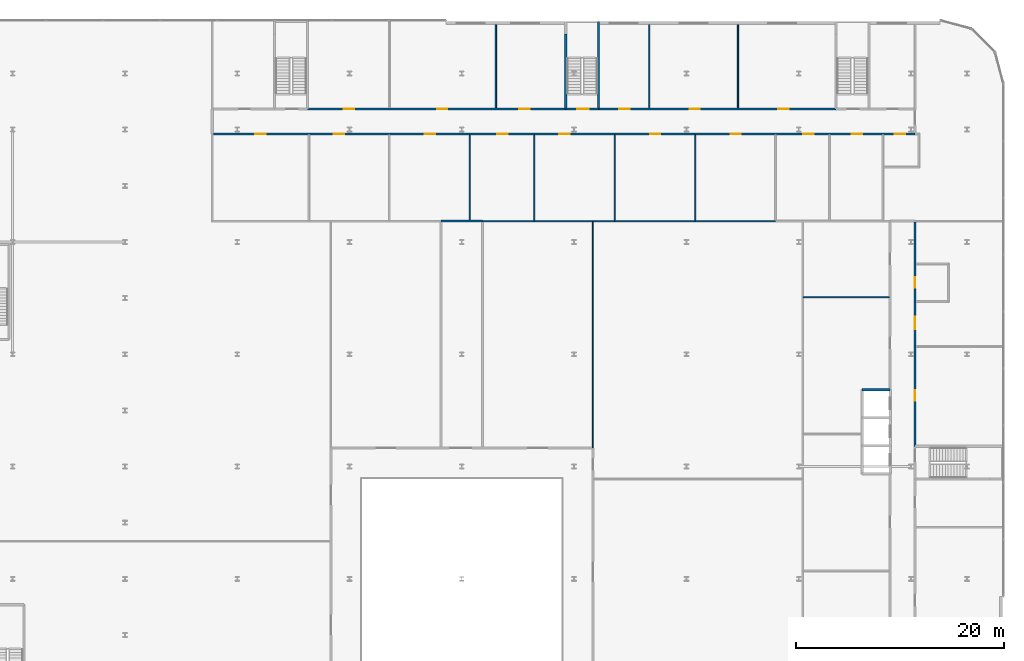
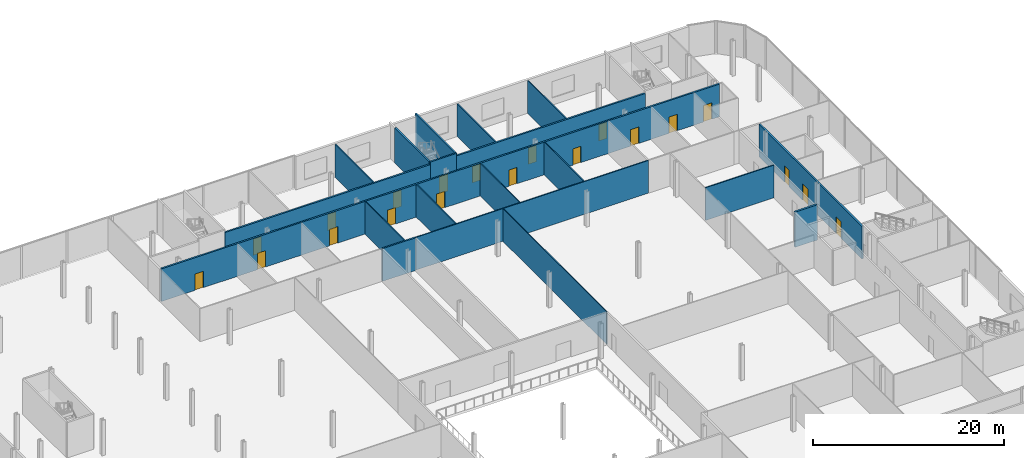
# One storey, part 35 of 47: 20 doors, 19 walls, 20 openings.
"""IFC4 building model written with IfcOpenShell, lengths in metres."""

from ifc_helpers import new_model, si_unit, direction, frame, frame_2d, origin, place, context, subcontext, project, spatial, rectangle, extrude, source, transform, mapped, material, layer, layer_set, type_object, element, fill, save


model = new_model("IFC4")

# Units and contexts
model_context = context("Model", 3, precision=1e-05, world=origin(), true_north=direction((0.0, 1.0)))
body_context = subcontext(model_context, "Body", "Model", "MODEL_VIEW")
ifc_project = project(units=[si_unit("LENGTHUNIT", "METRE"), si_unit("AREAUNIT", "SQUARE_METRE"), si_unit("VOLUMEUNIT", "CUBIC_METRE"), si_unit("PLANEANGLEUNIT", "RADIAN"), si_unit("MASSUNIT", "GRAM", prefix="KILO")], contexts=[model_context])

# Site, building, storey
site_placement = place(None, origin())
site = spatial("IfcSite", under=ifc_project, at=site_placement, CompositionType="ELEMENT")
building_placement = place(site_placement, origin())
building = spatial("IfcBuilding", under=site, at=building_placement, Name="Kheshtan School and Residences Tower", CompositionType="ELEMENT")
storey_placement = place(building_placement, frame((0.0, 0.0, 12.5)))
storey = spatial("IfcBuildingStorey", under=building, at=storey_placement, Name="L02", CompositionType="ELEMENT", Elevation=12.5)

# Walls
ifc_material_1 = material(Name="Gypsum board on steel studs with mineral wool", Category="steel")
ifc_layer_1 = layer(ifc_material_1, 0.125)
ifc_layer_set_1 = layer_set([ifc_layer_1], Name="Acoustic partition 125")
wall_type_1 = type_object("IfcWallType", Name="Acoustic partition 125", PredefinedType="PARTITIONING", material=ifc_layer_set_1)
wall_1_placement = place(storey_placement, frame((80.76904296875, 90.89990234375, 0.0), z_axis=(0.0, 0.0, 1.0), x_axis=(0.0, 1.0, 0.0)))
element("IfcWall", 1, at=wall_1_placement, inside=storey, type_object=wall_type_1, Name="Partition L02-039", PredefinedType="PARTITIONING", context=body_context, shape_type="SweptSolid", body=[
    extrude(rectangle(XDim=8.2001953125, YDim=0.125, at=frame_2d((4.10009765625, 0.0))), origin(), (0.0, 0.0, 1.0), 4.179931640625),
])
wall_2_placement = place(storey_placement, frame((82.0, 90.800048828125, 0.0), z_axis=(0.0, 0.0, 1.0), x_axis=(1.0, 0.0, 0.0)))
element("IfcWall", 2, at=wall_2_placement, inside=storey, type_object=wall_type_1, Name="Partition L02-041", PredefinedType="PARTITIONING", context=body_context, shape_type="SweptSolid", body=[
    extrude(rectangle(XDim=28.18310546875, YDim=0.125, at=frame_2d((14.091552734375, 0.0))), origin(), (0.0, 0.0, 1.0), 4.179931640625),
])
for number, where, z_axis, x_axis, name in (
    (3, (86.9619140625, 90.862060546875, 0.0), (0.0, 0.0, 1.0), (0.0, 1.0, 0.0), "Partition L02-043"),
    (4, (94.701904296875, 90.862060546875, 0.0), (0.0, 0.0, 1.0), (0.0, 1.0, 0.0), "Partition L02-058"),
):
    element("IfcWall", number, at=place(storey_placement, frame(where, z_axis=z_axis, x_axis=x_axis)), inside=storey, type_object=wall_type_1, Name=name, PredefinedType="PARTITIONING", context=body_context, shape_type="SweptSolid", body=[
        extrude(rectangle(XDim=8.238037109375, YDim=0.125, at=frame_2d((4.119140625, 0.0))), origin(), (0.0, 0.0, 1.0), 4.179931640625),
    ])
wall_3_placement = place(storey_placement, frame((98.037109375, 101.699951171875, 0.0), z_axis=(0.0, 0.0, 1.0), x_axis=(0.0, 1.0, 0.0)))
element("IfcWall", 5, at=wall_3_placement, inside=storey, type_object=wall_type_1, Name="Partition L02-059", PredefinedType="PARTITIONING", context=body_context, shape_type="SweptSolid", body=[
    extrude(rectangle(XDim=8.0009765625, YDim=0.125, at=frame_2d((4.00048828125, 0.0))), origin(), (0.0, 0.0, 1.0), 4.179931640625),
])
wall_4_placement = place(storey_placement, frame((102.443115234375, 90.862060546875, 0.0), z_axis=(0.0, 0.0, 1.0), x_axis=(0.0, 1.0, 0.0)))
element("IfcWall", 6, at=wall_4_placement, inside=storey, type_object=wall_type_1, Name="Partition L02-060", PredefinedType="PARTITIONING", context=body_context, shape_type="SweptSolid", body=[
    extrude(rectangle(XDim=8.238037109375, YDim=0.125, at=frame_2d((4.119140625, 0.0))), origin(), (0.0, 0.0, 1.0), 4.179931640625),
])
wall_5_placement = place(storey_placement, frame((106.55810546875, 101.699951171875, 0.0), z_axis=(0.0, 0.0, 1.0), x_axis=(0.0, 1.0, 0.0)))
element("IfcWall", 7, at=wall_5_placement, inside=storey, type_object=wall_type_1, Name="Partition L02-063", PredefinedType="PARTITIONING", context=body_context, shape_type="SweptSolid", body=[
    extrude(rectangle(XDim=8.0009765625, YDim=0.125, at=frame_2d((4.00048828125, 0.0))), origin(), (0.0, 0.0, 1.0), 4.179931640625),
])
wall_6_placement = place(storey_placement, frame((112.862060546875, 83.487060546875, 0.0), z_axis=(0.0, 0.0, 1.0), x_axis=(1.0, 0.0, 0.0)))
element("IfcWall", 8, at=wall_6_placement, inside=storey, type_object=wall_type_1, Name="Partition L02-072", PredefinedType="PARTITIONING", context=body_context, shape_type="SweptSolid", body=[
    extrude(rectangle(XDim=8.238037109375, YDim=0.125, at=frame_2d((4.119140625, 0.0))), origin(), (0.0, 0.0, 1.0), 4.179931640625),
])

# Wall, openings, doors
ifc_material_2 = material(Name="Gypsum board on steel studs with fire boards", Category="steel")
ifc_layer_2 = layer(ifc_material_2, 0.199951171875)
ifc_layer_set_2 = layer_set([ifc_layer_2], Name="Corridor wall 200")
wall_type_2 = type_object("IfcWallType", Name="Corridor wall 200", PredefinedType="PARTITIONING", material=ifc_layer_set_2)
wall_7_placement = place(storey_placement, frame((56.10009765625, 99.199951171875, 0.0), z_axis=(0.0, 0.0, 1.0), x_axis=(1.0, 0.0, 0.0)))
wall_7 = element("IfcWall", 9, at=wall_7_placement, inside=storey, type_object=wall_type_2, Name="Partition L02-024", PredefinedType="PARTITIONING", context=body_context, shape_type="SweptSolid", body=[
    extrude(rectangle(XDim=67.5, YDim=0.199951171875, at=frame_2d((33.75, 0.0))), origin(), (0.0, 0.0, 1.0), 4.179931640625),
])
opening_1_placement = place(wall_7_placement, frame((4.050048828125, 0.0, 0.0)))
opening_1 = element("IfcOpeningElement", 10, at=opening_1_placement, cuts=wall_7, Name="Opening D02-013", PredefinedType="OPENING", context=body_context, shape_type="SweptSolid", body=[
    extrude(rectangle(XDim=1.0, YDim=2.10009765625, at=frame_2d((0.5, 1.050048828125))), frame((0.0, 0.10986328125, 0.0), z_axis=(0.0, -1.0, 0.0), x_axis=(1.0, 0.0, 0.0)), (0.0, 0.0, 1.0), 0.219970703125),
])
opening_2_placement = place(wall_7_placement, frame((65.553955078125, 0.0, 0.0)))
opening_2 = element("IfcOpeningElement", 11, at=opening_2_placement, cuts=wall_7, Name="Opening D02-014", PredefinedType="OPENING", context=body_context, shape_type="SweptSolid", body=[
    extrude(rectangle(XDim=1.0, YDim=2.10009765625, at=frame_2d((0.5, 1.050048828125))), frame((0.0, 0.10986328125, 0.0), z_axis=(0.0, -1.0, 0.0), x_axis=(1.0, 0.0, 0.0)), (0.0, 0.0, 1.0), 0.219970703125),
])
opening_3_placement = place(wall_7_placement, frame((11.589111328125, 0.0, 0.0)))
opening_3 = element("IfcOpeningElement", 12, at=opening_3_placement, cuts=wall_7, Name="Opening D02-016", PredefinedType="OPENING", context=body_context, shape_type="SweptSolid", body=[
    extrude(rectangle(XDim=1.0, YDim=2.10009765625, at=frame_2d((0.5, 1.050048828125))), frame((0.0, 0.10986328125, 0.0), z_axis=(0.0, -1.0, 0.0), x_axis=(1.0, 0.0, 0.0)), (0.0, 0.0, 1.0), 0.219970703125),
])
opening_4_placement = place(wall_7_placement, frame((20.3291015625, 0.0, 0.0)))
opening_4 = element("IfcOpeningElement", 13, at=opening_4_placement, cuts=wall_7, Name="Opening D02-017", PredefinedType="OPENING", context=body_context, shape_type="SweptSolid", body=[
    extrude(rectangle(XDim=1.0, YDim=2.10009765625, at=frame_2d((0.5, 1.050048828125))), frame((0.0, 0.10986328125, 0.0), z_axis=(0.0, -1.0, 0.0), x_axis=(1.0, 0.0, 0.0)), (0.0, 0.0, 1.0), 0.219970703125),
])
opening_5_placement = place(wall_7_placement, frame((27.319091796875, 0.0, 0.0)))
opening_5 = element("IfcOpeningElement", 14, at=opening_5_placement, cuts=wall_7, Name="Opening D02-018", PredefinedType="OPENING", context=body_context, shape_type="SweptSolid", body=[
    extrude(rectangle(XDim=1.0, YDim=2.10009765625, at=frame_2d((0.5, 1.050048828125))), frame((0.0, 0.10986328125, 0.0), z_axis=(0.0, -1.0, 0.0), x_axis=(1.0, 0.0, 0.0)), (0.0, 0.0, 1.0), 0.219970703125),
])
opening_6_placement = place(wall_7_placement, frame((33.261962890625, 0.0, 0.0)))
opening_6 = element("IfcOpeningElement", 15, at=opening_6_placement, cuts=wall_7, Name="Opening D02-019", PredefinedType="OPENING", context=body_context, shape_type="SweptSolid", body=[
    extrude(rectangle(XDim=1.0, YDim=2.10009765625, at=frame_2d((0.5, 1.050048828125))), frame((0.0, 0.10986328125, 0.0), z_axis=(0.0, -1.0, 0.0), x_axis=(1.0, 0.0, 0.0)), (0.0, 0.0, 1.0), 0.219970703125),
])
opening_7_placement = place(wall_7_placement, frame((42.001953125, 0.0, 0.0)))
opening_7 = element("IfcOpeningElement", 16, at=opening_7_placement, cuts=wall_7, Name="Opening D02-020", PredefinedType="OPENING", context=body_context, shape_type="SweptSolid", body=[
    extrude(rectangle(XDim=1.0, YDim=2.10009765625, at=frame_2d((0.5, 1.050048828125))), frame((0.0, 0.10986328125, 0.0), z_axis=(0.0, -1.0, 0.0), x_axis=(1.0, 0.0, 0.0)), (0.0, 0.0, 1.0), 0.219970703125),
])
opening_8_placement = place(wall_7_placement, frame((49.742919921875, 0.0, 0.0)))
opening_8 = element("IfcOpeningElement", 17, at=opening_8_placement, cuts=wall_7, Name="Opening D02-021", PredefinedType="OPENING", context=body_context, shape_type="SweptSolid", body=[
    extrude(rectangle(XDim=1.0, YDim=2.10009765625, at=frame_2d((0.5, 1.050048828125))), frame((0.0, 0.10986328125, 0.0), z_axis=(0.0, -1.0, 0.0), x_axis=(1.0, 0.0, 0.0)), (0.0, 0.0, 1.0), 0.219970703125),
])
opening_9_placement = place(wall_7_placement, frame((56.73291015625, 0.0, 0.0)))
opening_9 = element("IfcOpeningElement", 18, at=opening_9_placement, cuts=wall_7, Name="Opening D02-022", PredefinedType="OPENING", context=body_context, shape_type="SweptSolid", body=[
    extrude(rectangle(XDim=1.0, YDim=2.10009765625, at=frame_2d((0.5, 1.050048828125))), frame((0.0, 0.10986328125, 0.0), z_axis=(0.0, -1.0, 0.0), x_axis=(1.0, 0.0, 0.0)), (0.0, 0.0, 1.0), 0.219970703125),
])
opening_10_placement = place(wall_7_placement, frame((61.39404296875, 0.0, 0.0)))
opening_10 = element("IfcOpeningElement", 19, at=opening_10_placement, cuts=wall_7, Name="Opening D02-023", PredefinedType="OPENING", context=body_context, shape_type="SweptSolid", body=[
    extrude(rectangle(XDim=1.0, YDim=2.10009765625, at=frame_2d((0.5, 1.050048828125))), frame((0.0, 0.10986328125, 0.0), z_axis=(0.0, -1.0, 0.0), x_axis=(1.0, 0.0, 0.0)), (0.0, 0.0, 1.0), 0.219970703125),
])
ifc_material_3 = material(Name="Steel-framed fire-resisting door leaf", Category="steel")
door_type_1 = type_object("IfcDoorType", Name="Fire door FD60 1000 x 2100", OperationType="SINGLE_SWING_LEFT", PredefinedType="DOOR", material=ifc_material_3)
shared_shape_1 = source(origin(), body_context, "Body", "SweptSolid", [
    extrude(rectangle(XDim=1.0, YDim=2.10009765625, at=frame_2d((0.5, 1.050048828125))), frame((0.0, 0.02490234375, 0.0), z_axis=(0.0, -1.0, 0.0), x_axis=(1.0, 0.0, 0.0)), (0.0, 0.0, 1.0), 0.050048828125),
])
door_1_placement = place(opening_1_placement, origin())
door_1 = element("IfcDoor", 20, at=door_1_placement, inside=storey, type_object=door_type_1, Name="Door D02-013", OperationType="SINGLE_SWING_LEFT", OverallHeight=2.10009765625, OverallWidth=1.0, PredefinedType="DOOR", context=body_context, shape_type="MappedRepresentation", body=[
    mapped(shared_shape_1, transform((0.0, 0.0, 0.0), x_axis=(1.0, 0.0, 0.0), y_axis=(0.0, 1.0, 0.0), z_axis=(0.0, 0.0, 1.0), scale=1.0)),
])
fill(opening_1, door_1)
door_2_placement = place(opening_2_placement, origin())
door_2 = element("IfcDoor", 21, at=door_2_placement, inside=storey, type_object=door_type_1, Name="Door D02-014", OperationType="SINGLE_SWING_RIGHT", OverallHeight=2.10009765625, OverallWidth=1.0, PredefinedType="DOOR", context=body_context, shape_type="MappedRepresentation", body=[
    mapped(shared_shape_1, transform((0.0, 0.0, 0.0), x_axis=(1.0, 0.0, 0.0), y_axis=(0.0, 1.0, 0.0), z_axis=(0.0, 0.0, 1.0), scale=1.0)),
])
fill(opening_2, door_2)
door_3_placement = place(opening_3_placement, origin())
door_3 = element("IfcDoor", 22, at=door_3_placement, inside=storey, type_object=door_type_1, Name="Door D02-016", OperationType="SINGLE_SWING_LEFT", OverallHeight=2.10009765625, OverallWidth=1.0, PredefinedType="DOOR", context=body_context, shape_type="MappedRepresentation", body=[
    mapped(shared_shape_1, transform((0.0, 0.0, 0.0), x_axis=(1.0, 0.0, 0.0), y_axis=(0.0, 1.0, 0.0), z_axis=(0.0, 0.0, 1.0), scale=1.0)),
])
fill(opening_3, door_3)
door_4_placement = place(opening_4_placement, origin())
door_4 = element("IfcDoor", 23, at=door_4_placement, inside=storey, type_object=door_type_1, Name="Door D02-017", OperationType="SINGLE_SWING_RIGHT", OverallHeight=2.10009765625, OverallWidth=1.0, PredefinedType="DOOR", context=body_context, shape_type="MappedRepresentation", body=[
    mapped(shared_shape_1, transform((0.0, 0.0, 0.0), x_axis=(1.0, 0.0, 0.0), y_axis=(0.0, 1.0, 0.0), z_axis=(0.0, 0.0, 1.0), scale=1.0)),
])
fill(opening_4, door_4)
door_5_placement = place(opening_5_placement, origin())
door_5 = element("IfcDoor", 24, at=door_5_placement, inside=storey, type_object=door_type_1, Name="Door D02-018", OperationType="SINGLE_SWING_RIGHT", OverallHeight=2.10009765625, OverallWidth=1.0, PredefinedType="DOOR", context=body_context, shape_type="MappedRepresentation", body=[
    mapped(shared_shape_1, transform((0.0, 0.0, 0.0), x_axis=(1.0, 0.0, 0.0), y_axis=(0.0, 1.0, 0.0), z_axis=(0.0, 0.0, 1.0), scale=1.0)),
])
fill(opening_5, door_5)
door_6_placement = place(opening_6_placement, origin())
door_6 = element("IfcDoor", 25, at=door_6_placement, inside=storey, type_object=door_type_1, Name="Door D02-019", OperationType="SINGLE_SWING_RIGHT", OverallHeight=2.10009765625, OverallWidth=1.0, PredefinedType="DOOR", context=body_context, shape_type="MappedRepresentation", body=[
    mapped(shared_shape_1, transform((0.0, 0.0, 0.0), x_axis=(1.0, 0.0, 0.0), y_axis=(0.0, 1.0, 0.0), z_axis=(0.0, 0.0, 1.0), scale=1.0)),
])
fill(opening_6, door_6)
door_7_placement = place(opening_7_placement, origin())
door_7 = element("IfcDoor", 26, at=door_7_placement, inside=storey, type_object=door_type_1, Name="Door D02-020", OperationType="SINGLE_SWING_LEFT", OverallHeight=2.10009765625, OverallWidth=1.0, PredefinedType="DOOR", context=body_context, shape_type="MappedRepresentation", body=[
    mapped(shared_shape_1, transform((0.0, 0.0, 0.0), x_axis=(1.0, 0.0, 0.0), y_axis=(0.0, 1.0, 0.0), z_axis=(0.0, 0.0, 1.0), scale=1.0)),
])
fill(opening_7, door_7)
door_8_placement = place(opening_8_placement, origin())
door_8 = element("IfcDoor", 27, at=door_8_placement, inside=storey, type_object=door_type_1, Name="Door D02-021", OperationType="SINGLE_SWING_RIGHT", OverallHeight=2.10009765625, OverallWidth=1.0, PredefinedType="DOOR", context=body_context, shape_type="MappedRepresentation", body=[
    mapped(shared_shape_1, transform((0.0, 0.0, 0.0), x_axis=(1.0, 0.0, 0.0), y_axis=(0.0, 1.0, 0.0), z_axis=(0.0, 0.0, 1.0), scale=1.0)),
])
fill(opening_8, door_8)
door_9_placement = place(opening_9_placement, origin())
door_9 = element("IfcDoor", 28, at=door_9_placement, inside=storey, type_object=door_type_1, Name="Door D02-022", OperationType="SINGLE_SWING_LEFT", OverallHeight=2.10009765625, OverallWidth=1.0, PredefinedType="DOOR", context=body_context, shape_type="MappedRepresentation", body=[
    mapped(shared_shape_1, transform((0.0, 0.0, 0.0), x_axis=(1.0, 0.0, 0.0), y_axis=(0.0, 1.0, 0.0), z_axis=(0.0, 0.0, 1.0), scale=1.0)),
])
fill(opening_9, door_9)
door_10_placement = place(opening_10_placement, origin())
door_10 = element("IfcDoor", 29, at=door_10_placement, inside=storey, type_object=door_type_1, Name="Door D02-023", OperationType="SINGLE_SWING_LEFT", OverallHeight=2.10009765625, OverallWidth=1.0, PredefinedType="DOOR", context=body_context, shape_type="MappedRepresentation", body=[
    mapped(shared_shape_1, transform((0.0, 0.0, 0.0), x_axis=(1.0, 0.0, 0.0), y_axis=(0.0, 1.0, 0.0), z_axis=(0.0, 0.0, 1.0), scale=1.0)),
])
fill(opening_10, door_10)

wall_8_placement = place(storey_placement, frame((65.14990234375, 101.60009765625, 0.0), z_axis=(0.0, 0.0, 1.0), x_axis=(1.0, 0.0, 0.0)))
wall_8 = element("IfcWall", 30, at=wall_8_placement, inside=storey, type_object=wall_type_2, Name="Partition L02-026", PredefinedType="PARTITIONING", context=body_context, shape_type="SweptSolid", body=[
    extrude(rectangle(XDim=24.85009765625, YDim=0.199951171875, at=frame_2d((12.425048828125, 0.0))), origin(), (0.0, 0.0, 1.0), 4.179931640625),
])
opening_11_placement = place(wall_8_placement, frame((3.491943359375, 0.0, 0.0)))
opening_11 = element("IfcOpeningElement", 31, at=opening_11_placement, cuts=wall_8, Name="Opening D02-025", PredefinedType="OPENING", context=body_context, shape_type="SweptSolid", body=[
    extrude(rectangle(XDim=1.0, YDim=2.10009765625, at=frame_2d((0.5, 1.050048828125))), frame((0.0, 0.10986328125, 0.0), z_axis=(0.0, -1.0, 0.0), x_axis=(1.0, 0.0, 0.0)), (0.0, 0.0, 1.0), 0.219970703125),
])
opening_12_placement = place(wall_8_placement, frame((12.467041015625, 0.0, 0.0)))
opening_12 = element("IfcOpeningElement", 32, at=opening_12_placement, cuts=wall_8, Name="Opening D02-026", PredefinedType="OPENING", context=body_context, shape_type="SweptSolid", body=[
    extrude(rectangle(XDim=1.0, YDim=2.10009765625, at=frame_2d((0.5, 1.050048828125))), frame((0.0, 0.10986328125, 0.0), z_axis=(0.0, -1.0, 0.0), x_axis=(1.0, 0.0, 0.0)), (0.0, 0.0, 1.0), 0.219970703125),
])
opening_13_placement = place(wall_8_placement, frame((20.39794921875, 0.0, 0.0)))
opening_13 = element("IfcOpeningElement", 33, at=opening_13_placement, cuts=wall_8, Name="Opening D02-027", PredefinedType="OPENING", context=body_context, shape_type="SweptSolid", body=[
    extrude(rectangle(XDim=1.0, YDim=2.10009765625, at=frame_2d((0.5, 1.050048828125))), frame((0.0, 0.10986328125, 0.0), z_axis=(0.0, -1.0, 0.0), x_axis=(1.0, 0.0, 0.0)), (0.0, 0.0, 1.0), 0.219970703125),
])
door_11_placement = place(opening_11_placement, origin())
door_11 = element("IfcDoor", 34, at=door_11_placement, inside=storey, type_object=door_type_1, Name="Door D02-025", OperationType="SINGLE_SWING_LEFT", OverallHeight=2.10009765625, OverallWidth=1.0, PredefinedType="DOOR", context=body_context, shape_type="MappedRepresentation", body=[
    mapped(shared_shape_1, transform((0.0, 0.0, 0.0), x_axis=(1.0, 0.0, 0.0), y_axis=(0.0, 1.0, 0.0), z_axis=(0.0, 0.0, 1.0), scale=1.0)),
])
fill(opening_11, door_11)
door_12_placement = place(opening_12_placement, origin())
door_12 = element("IfcDoor", 35, at=door_12_placement, inside=storey, type_object=door_type_1, Name="Door D02-026", OperationType="SINGLE_SWING_LEFT", OverallHeight=2.10009765625, OverallWidth=1.0, PredefinedType="DOOR", context=body_context, shape_type="MappedRepresentation", body=[
    mapped(shared_shape_1, transform((0.0, 0.0, 0.0), x_axis=(1.0, 0.0, 0.0), y_axis=(0.0, 1.0, 0.0), z_axis=(0.0, 0.0, 1.0), scale=1.0)),
])
fill(opening_12, door_12)
door_13_placement = place(opening_13_placement, origin())
door_13 = element("IfcDoor", 36, at=door_13_placement, inside=storey, type_object=door_type_1, Name="Door D02-027", OperationType="SINGLE_SWING_RIGHT", OverallHeight=2.10009765625, OverallWidth=1.0, PredefinedType="DOOR", context=body_context, shape_type="MappedRepresentation", body=[
    mapped(shared_shape_1, transform((0.0, 0.0, 0.0), x_axis=(1.0, 0.0, 0.0), y_axis=(0.0, 1.0, 0.0), z_axis=(0.0, 0.0, 1.0), scale=1.0)),
])
fill(opening_13, door_13)

# Wall
wall_9_placement = place(storey_placement, frame((78.0, 90.800048828125, 0.0), z_axis=(0.0, 0.0, 1.0), x_axis=(1.0, 0.0, 0.0)))
element("IfcWall", 37, at=wall_9_placement, inside=storey, type_object=wall_type_2, Name="Partition L02-037", PredefinedType="PARTITIONING", context=body_context, shape_type="SweptSolid", body=[
    extrude(rectangle(XDim=4.0, YDim=0.199951171875, at=frame_2d((2.0, 0.0))), origin(), (0.0, 0.0, 1.0), 4.179931640625),
])

# Wall, openings, doors
wall_10_placement = place(storey_placement, frame((93.14990234375, 101.60009765625, 0.0), z_axis=(0.0, 0.0, 1.0), x_axis=(1.0, 0.0, 0.0)))
wall_10 = element("IfcWall", 38, at=wall_10_placement, inside=storey, type_object=wall_type_2, Name="Partition L02-057", PredefinedType="PARTITIONING", context=body_context, shape_type="SweptSolid", body=[
    extrude(rectangle(XDim=22.85009765625, YDim=0.199951171875, at=frame_2d((11.425048828125, 0.0))), origin(), (0.0, 0.0, 1.0), 4.179931640625),
])
opening_14_placement = place(wall_10_placement, frame((1.987060546875, 0.0, 0.0)))
opening_14 = element("IfcOpeningElement", 39, at=opening_14_placement, cuts=wall_10, Name="Opening D02-028", PredefinedType="OPENING", context=body_context, shape_type="SweptSolid", body=[
    extrude(rectangle(XDim=1.0, YDim=2.10009765625, at=frame_2d((0.5, 1.050048828125))), frame((0.0, 0.10986328125, 0.0), z_axis=(0.0, -1.0, 0.0), x_axis=(1.0, 0.0, 0.0)), (0.0, 0.0, 1.0), 0.219970703125),
])
opening_15_placement = place(wall_10_placement, frame((8.758056640625, 0.0, 0.0)))
opening_15 = element("IfcOpeningElement", 40, at=opening_15_placement, cuts=wall_10, Name="Opening D02-029", PredefinedType="OPENING", context=body_context, shape_type="SweptSolid", body=[
    extrude(rectangle(XDim=1.0, YDim=2.10009765625, at=frame_2d((0.5, 1.050048828125))), frame((0.0, 0.10986328125, 0.0), z_axis=(0.0, -1.0, 0.0), x_axis=(1.0, 0.0, 0.0)), (0.0, 0.0, 1.0), 0.219970703125),
])
opening_16_placement = place(wall_10_placement, frame((17.279052734375, 0.0, 0.0)))
opening_16 = element("IfcOpeningElement", 41, at=opening_16_placement, cuts=wall_10, Name="Opening D02-030", PredefinedType="OPENING", context=body_context, shape_type="SweptSolid", body=[
    extrude(rectangle(XDim=1.0, YDim=2.10009765625, at=frame_2d((0.5, 1.050048828125))), frame((0.0, 0.10986328125, 0.0), z_axis=(0.0, -1.0, 0.0), x_axis=(1.0, 0.0, 0.0)), (0.0, 0.0, 1.0), 0.219970703125),
])
door_14_placement = place(opening_14_placement, origin())
door_14 = element("IfcDoor", 42, at=door_14_placement, inside=storey, type_object=door_type_1, Name="Door D02-028", OperationType="SINGLE_SWING_RIGHT", OverallHeight=2.10009765625, OverallWidth=1.0, PredefinedType="DOOR", context=body_context, shape_type="MappedRepresentation", body=[
    mapped(shared_shape_1, transform((0.0, 0.0, 0.0), x_axis=(1.0, 0.0, 0.0), y_axis=(0.0, 1.0, 0.0), z_axis=(0.0, 0.0, 1.0), scale=1.0)),
])
fill(opening_14, door_14)
door_15_placement = place(opening_15_placement, origin())
door_15 = element("IfcDoor", 43, at=door_15_placement, inside=storey, type_object=door_type_1, Name="Door D02-029", OperationType="SINGLE_SWING_RIGHT", OverallHeight=2.10009765625, OverallWidth=1.0, PredefinedType="DOOR", context=body_context, shape_type="MappedRepresentation", body=[
    mapped(shared_shape_1, transform((0.0, 0.0, 0.0), x_axis=(1.0, 0.0, 0.0), y_axis=(0.0, 1.0, 0.0), z_axis=(0.0, 0.0, 1.0), scale=1.0)),
])
fill(opening_15, door_15)
door_16_placement = place(opening_16_placement, origin())
door_16 = element("IfcDoor", 44, at=door_16_placement, inside=storey, type_object=door_type_1, Name="Door D02-030", OperationType="SINGLE_SWING_LEFT", OverallHeight=2.10009765625, OverallWidth=1.0, PredefinedType="DOOR", context=body_context, shape_type="MappedRepresentation", body=[
    mapped(shared_shape_1, transform((0.0, 0.0, 0.0), x_axis=(1.0, 0.0, 0.0), y_axis=(0.0, 1.0, 0.0), z_axis=(0.0, 0.0, 1.0), scale=1.0)),
])
fill(opening_16, door_16)

wall_11_placement = place(storey_placement, frame((123.60009765625, 69.14990234375, 0.0), z_axis=(0.0, 0.0, 1.0), x_axis=(0.0, 1.0, 0.0)))
wall_11 = element("IfcWall", 45, at=wall_11_placement, inside=storey, type_object=wall_type_2, Name="Partition L02-086", PredefinedType="PARTITIONING", context=body_context, shape_type="SweptSolid", body=[
    extrude(rectangle(XDim=21.550048828125, YDim=0.199951171875, at=frame_2d((10.77490234375, 0.0))), origin(), (0.0, 0.0, 1.0), 4.179931640625),
])
opening_17_placement = place(wall_11_placement, frame((4.39990234375, 0.0, 0.0)))
opening_17 = element("IfcOpeningElement", 46, at=opening_17_placement, cuts=wall_11, Name="Opening D02-007", PredefinedType="OPENING", context=body_context, shape_type="SweptSolid", body=[
    extrude(rectangle(XDim=1.0, YDim=2.10009765625, at=frame_2d((0.5, 1.050048828125))), frame((0.0, 0.10986328125, 0.0), z_axis=(0.0, -1.0, 0.0), x_axis=(1.0, 0.0, 0.0)), (0.0, 0.0, 1.0), 0.219970703125),
])
opening_18_placement = place(wall_11_placement, frame((15.238037109375, 0.0, 0.0)))
opening_18 = element("IfcOpeningElement", 47, at=opening_18_placement, cuts=wall_11, Name="Opening D02-008", PredefinedType="OPENING", context=body_context, shape_type="SweptSolid", body=[
    extrude(rectangle(XDim=1.0, YDim=2.10009765625, at=frame_2d((0.5, 1.050048828125))), frame((0.0, 0.10986328125, 0.0), z_axis=(0.0, -1.0, 0.0), x_axis=(1.0, 0.0, 0.0)), (0.0, 0.0, 1.0), 0.219970703125),
])
opening_19_placement = place(wall_11_placement, frame((11.238037109375, 0.0, 0.0)))
opening_19 = element("IfcOpeningElement", 48, at=opening_19_placement, cuts=wall_11, Name="Opening D02-009", PredefinedType="OPENING", context=body_context, shape_type="SweptSolid", body=[
    extrude(rectangle(XDim=1.199951171875, YDim=2.10009765625, at=frame_2d((0.60009765625, 1.050048828125))), frame((0.0, 0.10986328125, 0.0), z_axis=(0.0, -1.0, 0.0), x_axis=(1.0, 0.0, 0.0)), (0.0, 0.0, 1.0), 0.219970703125),
])
door_17_placement = place(opening_17_placement, origin())
door_17 = element("IfcDoor", 49, at=door_17_placement, inside=storey, type_object=door_type_1, Name="Door D02-007", OperationType="SINGLE_SWING_LEFT", OverallHeight=2.10009765625, OverallWidth=1.0, PredefinedType="DOOR", context=body_context, shape_type="MappedRepresentation", body=[
    mapped(shared_shape_1, transform((0.0, 0.0, 0.0), x_axis=(1.0, 0.0, 0.0), y_axis=(0.0, 1.0, 0.0), z_axis=(0.0, 0.0, 1.0), scale=1.0)),
])
fill(opening_17, door_17)
door_18_placement = place(opening_18_placement, origin())
door_18 = element("IfcDoor", 50, at=door_18_placement, inside=storey, type_object=door_type_1, Name="Door D02-008", OperationType="SINGLE_SWING_LEFT", OverallHeight=2.10009765625, OverallWidth=1.0, PredefinedType="DOOR", context=body_context, shape_type="MappedRepresentation", body=[
    mapped(shared_shape_1, transform((0.0, 0.0, 0.0), x_axis=(1.0, 0.0, 0.0), y_axis=(0.0, 1.0, 0.0), z_axis=(0.0, 0.0, 1.0), scale=1.0)),
])
fill(opening_18, door_18)
door_type_2 = type_object("IfcDoorType", Name="Fire door FD60 1200 x 2100", OperationType="SINGLE_SWING_LEFT", PredefinedType="DOOR", material=ifc_material_3)
shared_shape_2 = source(origin(), body_context, "Body", "SweptSolid", [
    extrude(rectangle(XDim=1.199951171875, YDim=2.10009765625, at=frame_2d((0.60009765625, 1.050048828125))), frame((0.0, 0.02490234375, 0.0), z_axis=(0.0, -1.0, 0.0), x_axis=(1.0, 0.0, 0.0)), (0.0, 0.0, 1.0), 0.050048828125),
])
door_19_placement = place(opening_19_placement, origin())
door_19 = element("IfcDoor", 51, at=door_19_placement, inside=storey, type_object=door_type_2, Name="Door D02-009", OperationType="SINGLE_SWING_LEFT", OverallHeight=2.10009765625, OverallWidth=1.199951171875, PredefinedType="DOOR", context=body_context, shape_type="MappedRepresentation", body=[
    mapped(shared_shape_2, transform((0.0, 0.0, 0.0), x_axis=(1.0, 0.0, 0.0), y_axis=(0.0, 1.0, 0.0), z_axis=(0.0, 0.0, 1.0), scale=1.0)),
])
fill(opening_19, door_19)

# Walls
ifc_material_4 = material(Name="Gypsum board on steel studs", Category="steel")
ifc_layer_3 = layer(ifc_material_4, 0.10009765625)
ifc_layer_set_3 = layer_set([ifc_layer_3], Name="Gypsum partition 100")
wall_type_3 = type_object("IfcWallType", Name="Gypsum partition 100", PredefinedType="PARTITIONING", material=ifc_layer_set_3)
wall_12_placement = place(storey_placement, frame((92.60009765625, 69.0, 0.0), z_axis=(0.0, 0.0, 1.0), x_axis=(0.0, 1.0, 0.0)))
element("IfcWall", 52, at=wall_12_placement, inside=storey, type_object=wall_type_3, Name="Partition L02-055", PredefinedType="PARTITIONING", context=body_context, shape_type="SweptSolid", body=[
    extrude(rectangle(XDim=21.738037109375, YDim=0.10009765625, at=frame_2d((10.869140625, 0.0))), origin(), (0.0, 0.0, 1.0), 4.179931640625),
])
ifc_material_5 = material(Name="Fire-board shaft wall system")
ifc_layer_4 = layer(ifc_material_5, 0.25)
ifc_layer_set_4 = layer_set([ifc_layer_4], Name="Shaft lining wall 250")
wall_type_4 = type_object("IfcWallType", Name="Shaft lining wall 250", PredefinedType="PARTITIONING", material=ifc_layer_set_4)
wall_13_placement = place(storey_placement, frame((118.5, 74.60009765625, 0.0), z_axis=(0.0, 0.0, 1.0), x_axis=(1.0, 0.0, 0.0)))
element("IfcWall", 53, at=wall_13_placement, inside=storey, type_object=wall_type_4, Name="Shaft lining wall", PredefinedType="PARTITIONING", context=body_context, shape_type="SweptSolid", body=[
    extrude(rectangle(XDim=2.699951171875, YDim=0.25, at=frame_2d((1.35009765625, 0.0))), origin(), (0.0, 0.0, 1.0), 4.5),
])

# Wall, opening, door
ifc_material_6 = material(Name="Concrete C40/50", Category="concrete")
ifc_layer_5 = layer(ifc_material_6, 0.199951171875)
ifc_layer_set_5 = layer_set([ifc_layer_5], Name="Stair enclosure wall 200 Concrete C40/50")
wall_type_5 = type_object("IfcWallType", Name="Stair enclosure wall 200 Concrete C40/50", PredefinedType="SHEAR", material=ifc_layer_set_5)
wall_14_placement = place(storey_placement, frame((90.0, 101.60009765625, 0.0), z_axis=(0.0, 0.0, 1.0), x_axis=(1.0, 0.0, 0.0)))
wall_14 = element("IfcWall", 54, at=wall_14_placement, inside=storey, type_object=wall_type_5, Name="Stair enclosure wall", PredefinedType="SHEAR", context=body_context, shape_type="SweptSolid", body=[
    extrude(rectangle(XDim=3.14990234375, YDim=0.199951171875, at=frame_2d((1.574951171875, 0.0))), origin(), (0.0, 0.0, 1.0), 4.5),
])
opening_20_placement = place(wall_14_placement, frame((1.10009765625, 0.0, 0.0)))
opening_20 = element("IfcOpeningElement", 55, at=opening_20_placement, cuts=wall_14, Name="Opening SD90", PredefinedType="OPENING", context=body_context, shape_type="SweptSolid", body=[
    extrude(rectangle(XDim=1.10009765625, YDim=2.199951171875, at=frame_2d((0.550048828125, 1.10009765625))), frame((0.0, 0.10986328125, 0.0), z_axis=(0.0, -1.0, 0.0), x_axis=(1.0, 0.0, 0.0)), (0.0, 0.0, 1.0), 0.219970703125),
])
ifc_material_7 = material(Name="Steel door leaf, galvanised", Category="steel")
door_type_3 = type_object("IfcDoorType", Name="Stair door 1100 steel 90 min", OperationType="SINGLE_SWING_LEFT", PredefinedType="DOOR", material=ifc_material_7)
shared_shape_3 = source(origin(), body_context, "Body", "SweptSolid", [
    extrude(rectangle(XDim=1.10009765625, YDim=2.199951171875, at=frame_2d((0.550048828125, 1.10009765625))), frame((0.0, 0.02490234375, 0.0), z_axis=(0.0, -1.0, 0.0), x_axis=(1.0, 0.0, 0.0)), (0.0, 0.0, 1.0), 0.050048828125),
])
door_20_placement = place(opening_20_placement, origin())
door_20 = element("IfcDoor", 56, at=door_20_placement, inside=storey, type_object=door_type_3, Name="Stair door", OperationType="SINGLE_SWING_RIGHT", OverallHeight=2.199951171875, OverallWidth=1.10009765625, PredefinedType="DOOR", context=body_context, shape_type="MappedRepresentation", body=[
    mapped(shared_shape_3, transform((0.0, 0.0, 0.0), x_axis=(1.0, 0.0, 0.0), y_axis=(0.0, 1.0, 0.0), z_axis=(0.0, 0.0, 1.0), scale=1.0)),
])
fill(opening_20, door_20)

# Walls
wall_15_placement = place(storey_placement, frame((90.0, 101.60009765625, 0.0), z_axis=(0.0, 0.0, 1.0), x_axis=(0.0, 1.0, 0.0)))
element("IfcWall", 57, at=wall_15_placement, inside=storey, type_object=wall_type_5, Name="Stair enclosure wall", PredefinedType="SHEAR", context=body_context, shape_type="SweptSolid", body=[
    extrude(rectangle(XDim=7.199951171875, YDim=0.199951171875, at=frame_2d((3.60009765625, 0.0))), origin(), (0.0, 0.0, 1.0), 4.5),
])
wall_16_placement = place(storey_placement, frame((93.14990234375, 101.60009765625, 0.0), z_axis=(0.0, 0.0, 1.0), x_axis=(0.0, 1.0, 0.0)))
element("IfcWall", 58, at=wall_16_placement, inside=storey, type_object=wall_type_5, Name="Stair enclosure wall", PredefinedType="SHEAR", context=body_context, shape_type="SweptSolid", body=[
    extrude(rectangle(XDim=8.39990234375, YDim=0.199951171875, at=frame_2d((4.199951171875, 0.0))), origin(), (0.0, 0.0, 1.0), 4.5),
])
ifc_material_8 = material(Name="Moisture-resistant gypsum board on steel studs", Category="steel")
ifc_layer_6 = layer(ifc_material_8, 0.14990234375)
ifc_layer_set_6 = layer_set([ifc_layer_6], Name="Wet-room partition 150")
wall_type_6 = type_object("IfcWallType", Name="Wet-room partition 150", PredefinedType="PARTITIONING", material=ifc_layer_set_6)
wall_17_placement = place(storey_placement, frame((83.26708984375, 101.699951171875, 0.0), z_axis=(0.0, 0.0, 1.0), x_axis=(0.0, 1.0, 0.0)))
element("IfcWall", 59, at=wall_17_placement, inside=storey, type_object=wall_type_6, Name="Partition L02-042", PredefinedType="PARTITIONING", context=body_context, shape_type="SweptSolid", body=[
    extrude(rectangle(XDim=8.0009765625, YDim=0.14990234375, at=frame_2d((4.00048828125, 0.0))), origin(), (0.0, 0.0, 1.0), 4.179931640625),
])

save(model, "model.ifc")
